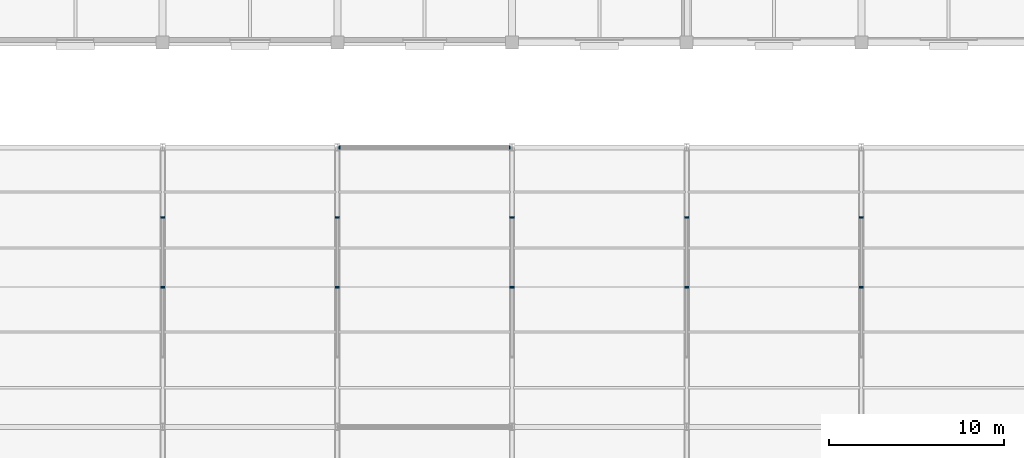
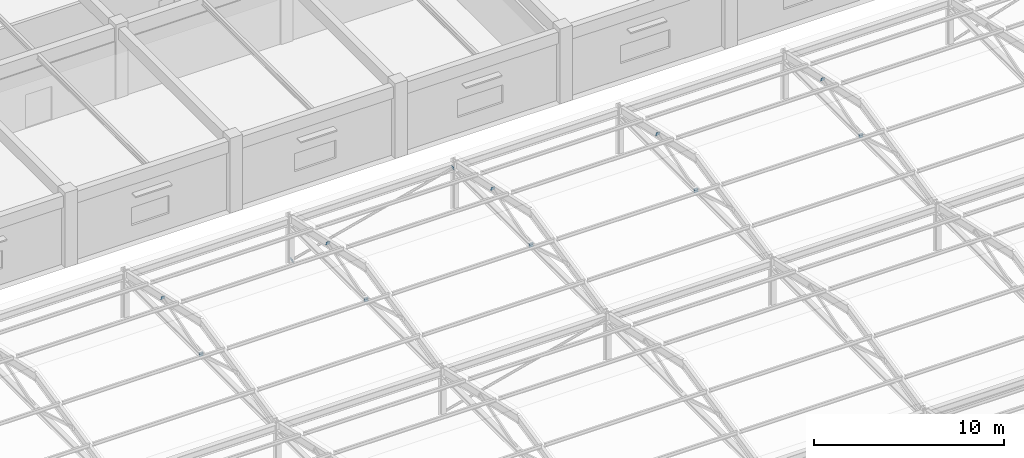
# One storey, part 87 of 109: 17 plates.
"""IFC4 building model written with IfcOpenShell, lengths in metres."""

from ifc_helpers import new_model, si_unit, direction, frame, origin, origin_2d, place, context, subcontext, project, spatial, rectangle, extrude, material, layer, layer_set, type_object, element, save


model = new_model("IFC4")

# Units and contexts
model_context = context("Model", 3, precision=1e-05, world=origin(), true_north=direction((0.0, 1.0)))
body_context = subcontext(model_context, "Body", "Model", "MODEL_VIEW")
ifc_project = project(units=[si_unit("LENGTHUNIT", "METRE"), si_unit("AREAUNIT", "SQUARE_METRE"), si_unit("VOLUMEUNIT", "CUBIC_METRE"), si_unit("PLANEANGLEUNIT", "RADIAN"), si_unit("MASSUNIT", "GRAM", prefix="KILO")], contexts=[model_context])

# Site, building, storey
site_placement = place(None, origin())
site = spatial("IfcSite", under=ifc_project, at=site_placement, CompositionType="ELEMENT")
building_placement = place(site_placement, origin())
building = spatial("IfcBuilding", under=site, at=building_placement, Name="Kivolera Central Railway Station", CompositionType="ELEMENT")
storey_placement = place(building_placement, frame((0.0, 0.0, 9.60009765625)))
storey = spatial("IfcBuildingStorey", under=building, at=storey_placement, Name="L02", CompositionType="ELEMENT", Elevation=9.60009765625)

# Plates
ifc_material = material(Name="Steel S355", Category="steel")
ifc_layer_1 = layer(ifc_material, 0.02001953125, Name="Steel S355")
ifc_layer_set_1 = layer_set([ifc_layer_1], Name="Steel S355")
plate_type_1 = type_object("IfcPlateType", Name="PLT-CAP-210", PredefinedType="SHEET", material=ifc_layer_set_1)
for number, where, z_axis, x_axis, name in (
    (1, (148.123046875, 48.0, 0.2490234375), (0.968639336195, 0.0, 0.24847099705), (0.0, 1.0, 0.0), "Hollow section end-cap plate NP-CAP3"),
    (2, (157.876953125, 48.0, 2.7509765625), (0.968639336195, 0.0, 0.24847099705), (0.0, 1.0, 0.0), "Hollow section end-cap plate NP-CAP3"),
):
    element("IfcPlate", number, at=place(storey_placement, frame(where, z_axis=z_axis, x_axis=x_axis)), inside=storey, type_object=plate_type_1, Name=name, PredefinedType="SHEET", context=body_context, shape_type="SweptSolid", body=[
        extrude(rectangle(XDim=0.2099609375, YDim=0.2099609375, at=origin_2d()), frame((0.0, 0.0, -0.010009765625)), (0.0, 0.0, 1.0), 0.02001953125),
    ])
ifc_layer_2 = layer(ifc_material, 0.02197265625, Name="Steel S355")
ifc_layer_set_2 = layer_set([ifc_layer_2], Name="Steel S355")
plate_type_2 = type_object("IfcPlateType", Name="PLT-CAP-260", PredefinedType="SHEET", material=ifc_layer_set_2)
for number, where, z_axis, x_axis, name in (
    (3, (138.0, 40.00390625, 2.618896484375), (0.0, -0.958810202665, 0.284047522901), (1.0, 0.0, 0.0), "Hollow section end-cap plate NP-CAP2"),
    (4, (138.0, 39.99609375, 2.618896484375), (0.0, 0.958810202665, 0.284047522901), (-1.0, 0.0, 0.0), "Hollow section end-cap plate NP-CAP2"),
    (5, (138.0, 44.00390625, 3.805908203125), (0.0, 0.958810202665, 0.284047522901), (-1.0, 0.0, 0.0), "Hollow section end-cap plate NP-CAP2"),
    (6, (148.0, 40.00390625, 2.618896484375), (0.0, -0.958810202665, 0.284047522901), (1.0, 0.0, 0.0), "Hollow section end-cap plate NP-CAP2"),
    (7, (148.0, 39.99609375, 2.618896484375), (0.0, 0.958810202665, 0.284047522901), (-1.0, 0.0, 0.0), "Hollow section end-cap plate NP-CAP2"),
    (8, (148.0, 44.00390625, 3.805908203125), (0.0, 0.958810202665, 0.284047522901), (-1.0, 0.0, 0.0), "Hollow section end-cap plate NP-CAP2"),
    (9, (158.0, 40.00390625, 2.618896484375), (0.0, -0.958810202665, 0.284047522901), (1.0, 0.0, 0.0), "Hollow section end-cap plate NP-CAP2"),
    (10, (158.0, 39.99609375, 2.618896484375), (0.0, 0.958810202665, 0.284047522901), (-1.0, 0.0, 0.0), "Hollow section end-cap plate NP-CAP2"),
    (11, (158.0, 44.00390625, 3.805908203125), (0.0, 0.958810202665, 0.284047522901), (-1.0, 0.0, 0.0), "Hollow section end-cap plate NP-CAP2"),
    (12, (168.0, 40.00390625, 2.618896484375), (0.0, -0.958810202665, 0.284047522901), (1.0, 0.0, 0.0), "Hollow section end-cap plate NP-CAP2"),
    (13, (168.0, 39.99609375, 2.618896484375), (0.0, 0.958810202665, 0.284047522901), (-1.0, 0.0, 0.0), "Hollow section end-cap plate NP-CAP2"),
    (14, (168.0, 44.00390625, 3.805908203125), (0.0, 0.958810202665, 0.284047522901), (-1.0, 0.0, 0.0), "Hollow section end-cap plate NP-CAP2"),
    (15, (178.0, 40.00390625, 2.618896484375), (0.0, -0.958810202665, 0.284047522901), (1.0, 0.0, 0.0), "Hollow section end-cap plate NP-CAP2"),
    (16, (178.0, 39.99609375, 2.618896484375), (0.0, 0.958810202665, 0.284047522901), (-1.0, 0.0, 0.0), "Hollow section end-cap plate NP-CAP2"),
    (17, (178.0, 44.00390625, 3.805908203125), (0.0, 0.958810202665, 0.284047522901), (-1.0, 0.0, 0.0), "Hollow section end-cap plate NP-CAP2"),
):
    element("IfcPlate", number, at=place(storey_placement, frame(where, z_axis=z_axis, x_axis=x_axis)), inside=storey, type_object=plate_type_2, Name=name, PredefinedType="SHEET", context=body_context, shape_type="SweptSolid", body=[
        extrude(rectangle(XDim=0.239990234375, YDim=0.239990234375, at=origin_2d()), frame((0.0, 0.0, -0.010986328125)), (0.0, 0.0, 1.0), 0.02197265625),
    ])

save(model, "model.ifc")
